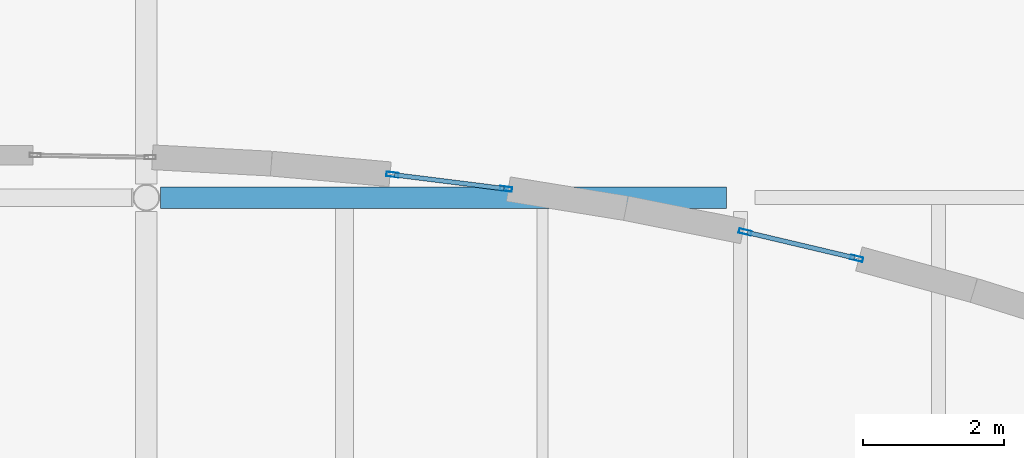
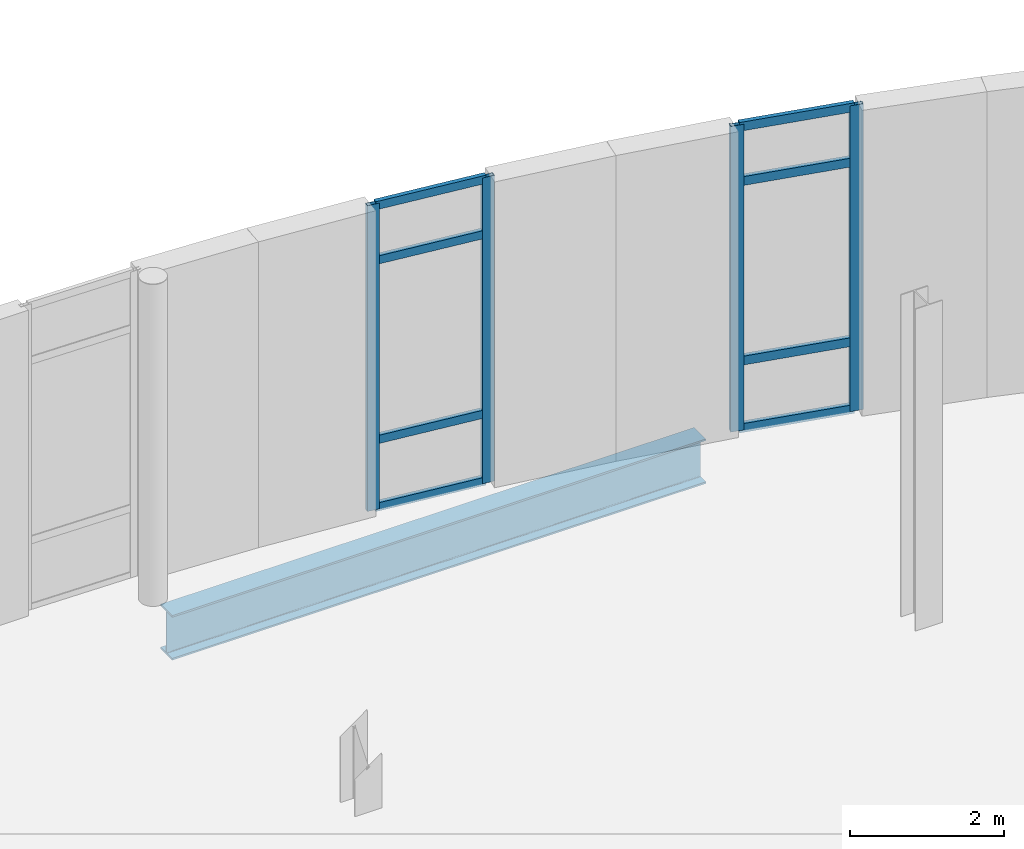
# One storey, part 37 of 103: 12 members, 1 beam, 2 elements without a shape of their own.
"""IFC4 building model written with IfcOpenShell, lengths in metres."""

from ifc_helpers import new_model, si_unit, direction, frame, origin, origin_2d, place, context, subcontext, project, spatial, hollow_rectangle, i_section, extrude, material, layer, layer_set, material_profile, profile_set, type_object, element, aggregate, save


model = new_model("IFC4")

# Units and contexts
model_context = context("Model", 3, precision=1e-05, world=origin(), true_north=direction((0.0, 1.0)))
body_context = subcontext(model_context, "Body", "Model", "MODEL_VIEW")
ifc_project = project(units=[si_unit("LENGTHUNIT", "METRE"), si_unit("AREAUNIT", "SQUARE_METRE"), si_unit("VOLUMEUNIT", "CUBIC_METRE"), si_unit("PLANEANGLEUNIT", "RADIAN"), si_unit("MASSUNIT", "GRAM", prefix="KILO"), si_unit("THERMODYNAMICTEMPERATUREUNIT", "KELVIN")], contexts=[model_context])

# Site, building, storey
site_placement = place(None, origin())
site = spatial("IfcSite", under=ifc_project, at=site_placement, CompositionType="ELEMENT")
building_placement = place(site_placement, origin())
building = spatial("IfcBuilding", under=site, at=building_placement, Name="Lustrewick Department Store", CompositionType="ELEMENT")
storey_placement = place(building_placement, frame((0.0, 0.0, 16.5)))
storey = spatial("IfcBuildingStorey", under=building, at=storey_placement, Name="L04", CompositionType="ELEMENT", Elevation=16.5)

# Curtain wall, members
ifc_material_1 = material(Name="Thermally broken aluminium 6063-T5", Category="aluminium")
ifc_layer_1 = layer(ifc_material_1, 0.179931640625, Name="Thermally broken aluminium 6063-T5")
ifc_layer_set_1 = layer_set([ifc_layer_1], Name="Thermally broken aluminium 6063-T5")
curtain_wall_type_1 = type_object("IfcCurtainWallType", Name="CW11", PredefinedType="NOTDEFINED", material=ifc_layer_set_1)
curtain_wall_1_placement = place(storey_placement, origin())
curtain_wall_1 = element("IfcCurtainWall", 1, at=curtain_wall_1_placement, inside=storey, type_object=curtain_wall_type_1, Name="L04 V4 Curtain Wall CW11", PredefinedType="NOTDEFINED")
ifc_material_profile_1 = material_profile(ifc_material_1, hollow_rectangle(XDim=0.06494140625, YDim=0.179931640625, WallThickness=0.00390625, at=origin_2d()), Name="ALU-M 65x180x4")
ifc_profile_set_1 = profile_set([ifc_material_profile_1], Name="Thermally broken aluminium 6063-T5")
member_type_1 = type_object("IfcMemberType", Name="CW11-M1", PredefinedType="MULLION", material=ifc_profile_set_1)
member_1_placement = place(storey_placement, frame((127.641357421875, 105.34130859375, 0.0), z_axis=(0.0, 0.0, 1.0), x_axis=(-0.229975377185, -0.973196447737, 0.0)))
member_1 = element("IfcMember", 2, at=member_1_placement, type_object=member_type_1, Name="CW11 mullion 1", PredefinedType="MULLION", context=body_context, shape_type="SweptSolid", body=[
    extrude(hollow_rectangle(XDim=0.06494140625, YDim=0.179931640625, WallThickness=0.00390625, at=origin_2d()), origin(), (0.0, 0.0, 1.0), 4.844970703125),
])
member_2_placement = place(storey_placement, frame((126.064697265625, 105.7138671875, 0.0), z_axis=(0.0, 0.0, 1.0), x_axis=(-0.229975377185, -0.973196447737, 0.0)))
member_2 = element("IfcMember", 3, at=member_2_placement, type_object=member_type_1, Name="CW11 mullion 2", PredefinedType="MULLION", context=body_context, shape_type="SweptSolid", body=[
    extrude(hollow_rectangle(XDim=0.06494140625, YDim=0.179931640625, WallThickness=0.00390625, at=origin_2d()), origin(), (0.0, 0.0, 1.0), 4.844970703125),
])
ifc_material_profile_2 = material_profile(ifc_material_1, hollow_rectangle(XDim=0.06494140625, YDim=0.139892578125, WallThickness=0.00341796875, at=origin_2d()), Name="ALU-T 65x140x3.5")
ifc_profile_set_2 = profile_set([ifc_material_profile_2], Name="Thermally broken aluminium 6063-T5")
member_type_2 = type_object("IfcMemberType", Name="CW11-T1", PredefinedType="USERDEFINED", material=ifc_profile_set_2)
member_3_placement = place(storey_placement, frame((127.609619140625, 105.3486328125, 0.032470703125), z_axis=(-0.973183973698, 0.230028157707, 0.0), x_axis=(-0.230028157707, -0.973183973698, 0.0)))
member_3 = element("IfcMember", 4, at=member_3_placement, type_object=member_type_2, Name="CW11 transom 1.1", ObjectType="TRANSOM", PredefinedType="USERDEFINED", context=body_context, shape_type="SweptSolid", body=[
    extrude(hollow_rectangle(XDim=0.06494140625, YDim=0.139892578125, WallThickness=0.00341796875, at=origin_2d()), origin(), (0.0, 0.0, 1.0), 1.554931640625),
])
member_4_placement = place(storey_placement, frame((127.609619140625, 105.3486328125, 1.10009765625), z_axis=(-0.973183973698, 0.230028157707, 0.0), x_axis=(-0.230028157707, -0.973183973698, 0.0)))
member_4 = element("IfcMember", 5, at=member_4_placement, type_object=member_type_2, Name="CW11 transom 1.2", ObjectType="TRANSOM", PredefinedType="USERDEFINED", context=body_context, shape_type="SweptSolid", body=[
    extrude(hollow_rectangle(XDim=0.06494140625, YDim=0.139892578125, WallThickness=0.00341796875, at=origin_2d()), origin(), (0.0, 0.0, 1.0), 1.554931640625),
])
member_5_placement = place(storey_placement, frame((127.609619140625, 105.3486328125, 3.945068359375), z_axis=(-0.973183973698, 0.230028157707, 0.0), x_axis=(-0.230028157707, -0.973183973698, 0.0)))
member_5 = element("IfcMember", 6, at=member_5_placement, type_object=member_type_2, Name="CW11 transom 1.3", ObjectType="TRANSOM", PredefinedType="USERDEFINED", context=body_context, shape_type="SweptSolid", body=[
    extrude(hollow_rectangle(XDim=0.06494140625, YDim=0.139892578125, WallThickness=0.00341796875, at=origin_2d()), origin(), (0.0, 0.0, 1.0), 1.554931640625),
])
member_6_placement = place(storey_placement, frame((127.609619140625, 105.3486328125, 4.8125), z_axis=(-0.973183973698, 0.230028157707, 0.0), x_axis=(-0.230028157707, -0.973183973698, 0.0)))
member_6 = element("IfcMember", 7, at=member_6_placement, type_object=member_type_2, Name="CW11 transom 1.4", ObjectType="TRANSOM", PredefinedType="USERDEFINED", context=body_context, shape_type="SweptSolid", body=[
    extrude(hollow_rectangle(XDim=0.06494140625, YDim=0.139892578125, WallThickness=0.00341796875, at=origin_2d()), origin(), (0.0, 0.0, 1.0), 1.554931640625),
])
aggregate(curtain_wall_1, [member_1, member_2, member_3, member_4, member_5, member_6])

ifc_layer_2 = layer(ifc_material_1, 0.169921875, Name="Thermally broken aluminium 6063-T5")
ifc_layer_set_2 = layer_set([ifc_layer_2], Name="Thermally broken aluminium 6063-T5")
curtain_wall_type_2 = type_object("IfcCurtainWallType", Name="CW12", PredefinedType="NOTDEFINED", material=ifc_layer_set_2)
curtain_wall_2_placement = place(storey_placement, origin())
curtain_wall_2 = element("IfcCurtainWall", 8, at=curtain_wall_2_placement, inside=storey, type_object=curtain_wall_type_2, Name="L04 V4 Curtain Wall CW12", PredefinedType="NOTDEFINED")
ifc_material_profile_3 = material_profile(ifc_material_1, hollow_rectangle(XDim=0.06494140625, YDim=0.169921875, WallThickness=0.00390625, at=origin_2d()), Name="ALU-M 65x170x4")
ifc_profile_set_3 = profile_set([ifc_material_profile_3], Name="Thermally broken aluminium 6063-T5")
member_type_3 = type_object("IfcMemberType", Name="CW12-M1", PredefinedType="MULLION", material=ifc_profile_set_3)
member_7_placement = place(storey_placement, frame((122.68505859375, 106.32373046875, 0.0), z_axis=(0.0, 0.0, 1.0), x_axis=(-0.124626345299, -0.992203746242, 0.0)))
member_7 = element("IfcMember", 9, at=member_7_placement, type_object=member_type_3, Name="CW12 mullion 1", PredefinedType="MULLION", context=body_context, shape_type="SweptSolid", body=[
    extrude(hollow_rectangle(XDim=0.06494140625, YDim=0.169921875, WallThickness=0.00390625, at=origin_2d()), origin(), (0.0, 0.0, 1.0), 4.844970703125),
])
member_8_placement = place(storey_placement, frame((121.07763671875, 106.525634765625, 0.0), z_axis=(0.0, 0.0, 1.0), x_axis=(-0.124626345299, -0.992203746242, 0.0)))
member_8 = element("IfcMember", 10, at=member_8_placement, type_object=member_type_3, Name="CW12 mullion 2", PredefinedType="MULLION", context=body_context, shape_type="SweptSolid", body=[
    extrude(hollow_rectangle(XDim=0.06494140625, YDim=0.169921875, WallThickness=0.00390625, at=origin_2d()), origin(), (0.0, 0.0, 1.0), 4.844970703125),
])
ifc_material_profile_4 = material_profile(ifc_material_1, hollow_rectangle(XDim=0.06494140625, YDim=0.1298828125, WallThickness=0.00341796875, at=origin_2d()), Name="ALU-T 65x130x3.5")
ifc_profile_set_4 = profile_set([ifc_material_profile_4], Name="Thermally broken aluminium 6063-T5")
member_type_4 = type_object("IfcMemberType", Name="CW12-T1", PredefinedType="USERDEFINED", material=ifc_profile_set_4)
member_9_placement = place(storey_placement, frame((122.65283203125, 106.32763671875, 0.032470703125), z_axis=(-0.992200394847, 0.124653024289, 0.0), x_axis=(-0.124653024289, -0.992200394847, 0.0)))
member_9 = element("IfcMember", 11, at=member_9_placement, type_object=member_type_4, Name="CW12 transom 1.1", ObjectType="TRANSOM", PredefinedType="USERDEFINED", context=body_context, shape_type="SweptSolid", body=[
    extrude(hollow_rectangle(XDim=0.06494140625, YDim=0.1298828125, WallThickness=0.00341796875, at=origin_2d()), origin(), (0.0, 0.0, 1.0), 1.55517578125),
])
member_10_placement = place(storey_placement, frame((122.65283203125, 106.32763671875, 1.10009765625), z_axis=(-0.992200394847, 0.124653024289, 0.0), x_axis=(-0.124653024289, -0.992200394847, 0.0)))
member_10 = element("IfcMember", 12, at=member_10_placement, type_object=member_type_4, Name="CW12 transom 1.2", ObjectType="TRANSOM", PredefinedType="USERDEFINED", context=body_context, shape_type="SweptSolid", body=[
    extrude(hollow_rectangle(XDim=0.06494140625, YDim=0.1298828125, WallThickness=0.00341796875, at=origin_2d()), origin(), (0.0, 0.0, 1.0), 1.55517578125),
])
member_11_placement = place(storey_placement, frame((122.65283203125, 106.32763671875, 3.945068359375), z_axis=(-0.992200394847, 0.124653024289, 0.0), x_axis=(-0.124653024289, -0.992200394847, 0.0)))
member_11 = element("IfcMember", 13, at=member_11_placement, type_object=member_type_4, Name="CW12 transom 1.3", ObjectType="TRANSOM", PredefinedType="USERDEFINED", context=body_context, shape_type="SweptSolid", body=[
    extrude(hollow_rectangle(XDim=0.06494140625, YDim=0.1298828125, WallThickness=0.00341796875, at=origin_2d()), origin(), (0.0, 0.0, 1.0), 1.55517578125),
])
member_12_placement = place(storey_placement, frame((122.65283203125, 106.32763671875, 4.8125), z_axis=(-0.992200394847, 0.124653024289, 0.0), x_axis=(-0.124653024289, -0.992200394847, 0.0)))
member_12 = element("IfcMember", 14, at=member_12_placement, type_object=member_type_4, Name="CW12 transom 1.4", ObjectType="TRANSOM", PredefinedType="USERDEFINED", context=body_context, shape_type="SweptSolid", body=[
    extrude(hollow_rectangle(XDim=0.06494140625, YDim=0.1298828125, WallThickness=0.00341796875, at=origin_2d()), origin(), (0.0, 0.0, 1.0), 1.55517578125),
])
aggregate(curtain_wall_2, [member_7, member_8, member_9, member_10, member_11, member_12])

# Beam
ifc_material_2 = material(Name="Structural steel Q355C", Category="steel")
ifc_material_profile_5 = material_profile(ifc_material_2, i_section(OverallWidth=0.302001953125, OverallDepth=0.7080078125, WebThickness=0.014892578125, FlangeThickness=0.028076171875, FilletRadius=0.02001953125, at=origin_2d()), Name="HN 708x302x15x28")
ifc_profile_set_5 = profile_set([ifc_material_profile_5], Name="Structural steel Q355C")
beam_type = type_object("IfcBeamType", Name="G07", PredefinedType="BEAM", material=ifc_profile_set_5)
beam_placement = place(storey_placement, frame((117.801025390625, 106.199951171875, -0.60888671875), z_axis=(1.0, 0.0, 0.0), x_axis=(0.0, 1.0, 0.0)))
element("IfcBeam", 15, at=beam_placement, inside=storey, type_object=beam_type, Name="L04 V4 Girder G07", PredefinedType="BEAM", context=body_context, shape_type="SweptSolid", body=[
    extrude(i_section(OverallWidth=0.302001953125, OverallDepth=0.7080078125, WebThickness=0.014892578125, FlangeThickness=0.028076171875, FilletRadius=0.02001953125, at=origin_2d()), origin(), (0.0, 0.0, 1.0), 7.998046875),
])

save(model, "model.ifc")
